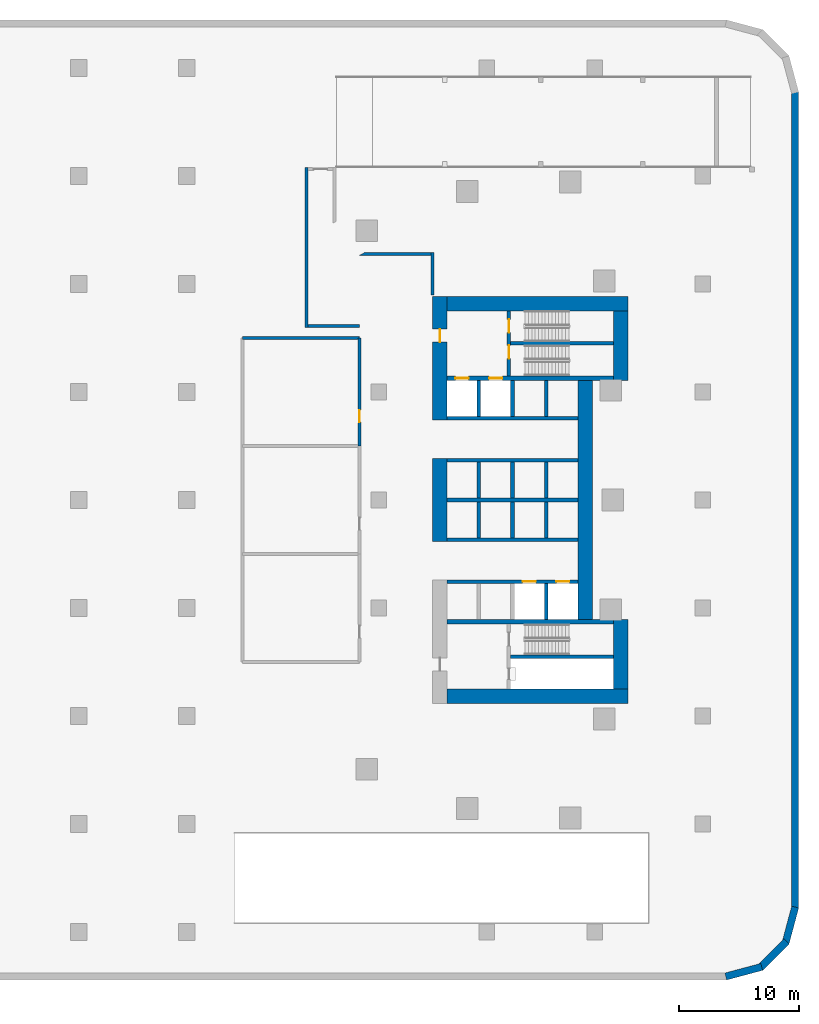
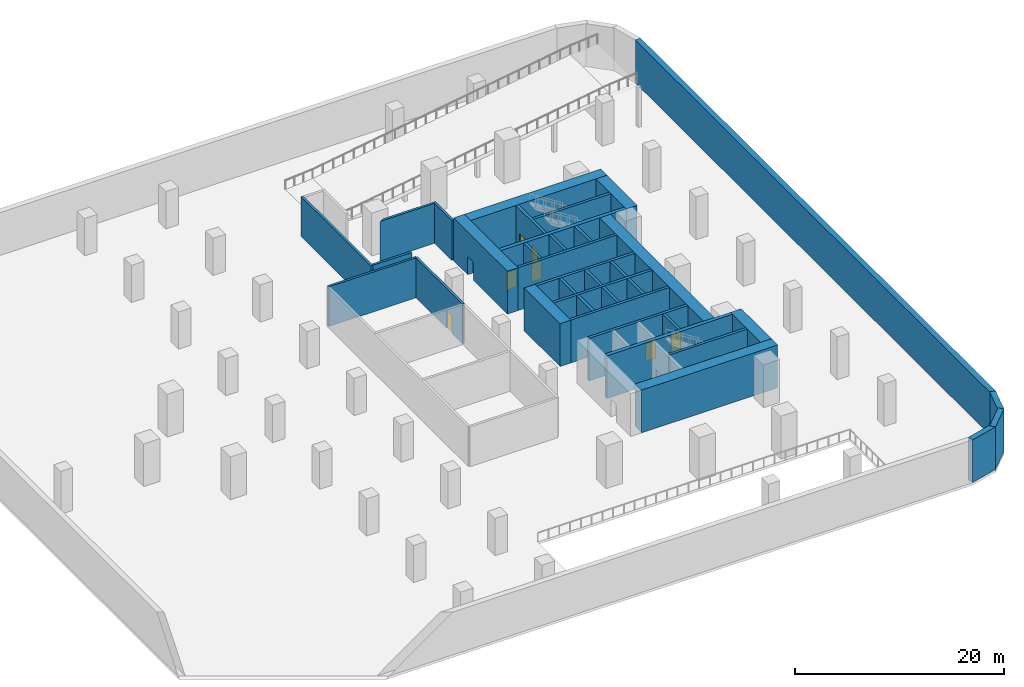
# One storey, part 4 of 9: 37 walls, 8 doors, 8 openings.
"""IFC4 building model written with IfcOpenShell, lengths in metres."""

from ifc_helpers import new_model, si_unit, direction, frame, frame_2d, origin, place, context, subcontext, project, spatial, polyline, rectangle, outline, extrude, material, layer, layer_set, type_object, element, fill, save


model = new_model("IFC4")

# Units and contexts
model_context = context("Model", 3, precision=1e-05, world=origin(), true_north=direction((0.0, 1.0)))
body_context = subcontext(model_context, "Body", "Model", "MODEL_VIEW")
ifc_project = project(units=[si_unit("LENGTHUNIT", "METRE"), si_unit("AREAUNIT", "SQUARE_METRE"), si_unit("VOLUMEUNIT", "CUBIC_METRE"), si_unit("PLANEANGLEUNIT", "RADIAN"), si_unit("MASSUNIT", "GRAM", prefix="KILO")], contexts=[model_context])

# Site, building, storey
site_placement = place(None, origin())
site = spatial("IfcSite", under=ifc_project, at=site_placement, CompositionType="ELEMENT")
building_placement = place(site_placement, origin())
building = spatial("IfcBuilding", under=site, at=building_placement, Name="Ostrand Prow Hotel Tower", CompositionType="ELEMENT")
storey_placement = place(building_placement, frame((0.0, 0.0, -5.0)))
storey = spatial("IfcBuildingStorey", under=building, at=storey_placement, Name="B1", CompositionType="ELEMENT", Elevation=-5.0)

# Wall, opening, door
ifc_material_1 = material(Name="Concrete C80/95", Category="concrete")
ifc_layer_1 = layer(ifc_material_1, 1.199951171875)
ifc_layer_set_1 = layer_set([ifc_layer_1], Name="Concrete C80/95")
wall_type_1 = type_object("IfcWallType", Name="Core wall 1200 C80/95", PredefinedType="SHEAR", material=ifc_layer_set_1)
wall_1_placement = place(storey_placement, frame((50.10009765625, 6.64990234375, 0.0), z_axis=(0.0, 0.0, 1.0), x_axis=(0.0, 1.0, 0.0)))
wall_1 = element("IfcWall", 1, at=wall_1_placement, inside=storey, type_object=wall_type_1, Name="Core wall CW-W-N", PredefinedType="SHEAR", context=body_context, shape_type="SweptSolid", body=[
    extrude(rectangle(XDim=10.300048828125, YDim=1.199951171875, at=frame_2d((5.14990234375, 0.0))), origin(), (0.0, 0.0, 1.0), 5.0),
])
opening_1_placement = place(wall_1_placement, frame((6.5, 0.0, 0.0)))
opening_1 = element("IfcOpeningElement", 2, at=opening_1_placement, cuts=wall_1, Name="Opening FD1", PredefinedType="OPENING", context=body_context, shape_type="SweptSolid", body=[
    extrude(rectangle(XDim=1.10009765625, YDim=2.10009765625, at=frame_2d((0.550048828125, 1.050048828125))), frame((0.0, 0.60986328125, 0.0), z_axis=(0.0, -1.0, 0.0), x_axis=(1.0, 0.0, 0.0)), (0.0, 0.0, 1.0), 1.219970703125),
])
ifc_material_2 = material(Name="Steel fire door", Category="steel")
door_type_1 = type_object("IfcDoorType", Name="Fire door 1100 EI120", OperationType="SINGLE_SWING_RIGHT", PredefinedType="DOOR", material=ifc_material_2)
door_1_placement = place(opening_1_placement, origin())
door_1 = element("IfcDoor", 3, at=door_1_placement, inside=storey, type_object=door_type_1, Name="FIRE DOOR", OperationType="SINGLE_SWING_RIGHT", OverallHeight=2.10009765625, OverallWidth=1.10009765625, PredefinedType="DOOR", context=body_context, shape_type="SweptSolid", body=[
    extrude(rectangle(XDim=1.10009765625, YDim=2.10009765625, at=frame_2d((0.550048828125, 1.050048828125))), frame((0.0, 0.02490234375, 0.0), z_axis=(0.0, -1.0, 0.0), x_axis=(1.0, 0.0, 0.0)), (0.0, 0.0, 1.0), 0.050048828125),
])
fill(opening_1, door_1)

# Walls
wall_2_placement = place(storey_placement, frame((50.10009765625, -3.449951171875, 0.0), z_axis=(0.0, 0.0, 1.0), x_axis=(0.0, 1.0, 0.0)))
element("IfcWall", 4, at=wall_2_placement, inside=storey, type_object=wall_type_1, Name="Core wall CW-W-C", PredefinedType="SHEAR", context=body_context, shape_type="SweptSolid", body=[
    extrude(rectangle(XDim=6.89990234375, YDim=1.199951171875, at=frame_2d((3.449951171875, 0.0))), origin(), (0.0, 0.0, 1.0), 5.0),
])
for number, where, z_axis, x_axis, name in (
    (5, (50.699951171875, 16.35009765625, 0.0), (0.0, 0.0, 1.0), (1.0, 0.0, 0.0), "Core wall CW-N"),
    (6, (50.699951171875, -16.35009765625, 0.0), (0.0, 0.0, 1.0), (1.0, 0.0, 0.0), "Core wall CW-S"),
):
    element("IfcWall", number, at=place(storey_placement, frame(where, z_axis=z_axis, x_axis=x_axis)), inside=storey, type_object=wall_type_1, Name=name, PredefinedType="SHEAR", context=body_context, shape_type="SweptSolid", body=[
        extrude(rectangle(XDim=15.06005859375, YDim=1.199951171875, at=frame_2d((7.530029296875, 0.0))), origin(), (0.0, 0.0, 1.0), 5.0),
    ])
for number, where, z_axis, x_axis, name in (
    (7, (65.159912109375, 9.949951171875, 0.0), (0.0, 0.0, 1.0), (0.0, 1.0, 0.0), "Core wall CW-E-N"),
    (8, (65.159912109375, -15.75, 0.0), (0.0, 0.0, 1.0), (0.0, 1.0, 0.0), "Core wall CW-E-S"),
):
    element("IfcWall", number, at=place(storey_placement, frame(where, z_axis=z_axis, x_axis=x_axis)), inside=storey, type_object=wall_type_1, Name=name, PredefinedType="SHEAR", context=body_context, shape_type="SweptSolid", body=[
        extrude(rectangle(XDim=5.800048828125, YDim=1.199951171875, at=frame_2d((2.89990234375, 0.0))), origin(), (0.0, 0.0, 1.0), 5.0),
    ])
wall_3_placement = place(storey_placement, frame((62.199951171875, -9.949951171875, 0.0), z_axis=(0.0, 0.0, 1.0), x_axis=(0.0, 1.0, 0.0)))
element("IfcWall", 9, at=wall_3_placement, inside=storey, type_object=wall_type_1, Name="Core wall CW-E-C", PredefinedType="SHEAR", context=body_context, shape_type="SweptSolid", body=[
    extrude(rectangle(XDim=19.89990234375, YDim=1.199951171875, at=frame_2d((9.949951171875, 0.0))), origin(), (0.0, 0.0, 1.0), 5.0),
])
ifc_material_3 = material(Name="Concrete C80/95", Category="concrete")
ifc_layer_2 = layer(ifc_material_3, 0.300048828125)
ifc_layer_set_2 = layer_set([ifc_layer_2], Name="Concrete C80/95")
wall_type_2 = type_object("IfcWallType", Name="Core wall 300 C80/95", PredefinedType="SHEAR", material=ifc_layer_set_2)
for number, where, z_axis, x_axis, name in (
    (10, (50.699951171875, 0.0, 0.0), (0.0, 0.0, 1.0), (1.0, 0.0, 0.0), "Core wall PW-C"),
    (11, (50.699951171875, 3.300048828125, 0.0), (0.0, 0.0, 1.0), (1.0, 0.0, 0.0), "Core wall PW-L1-N"),
    (12, (50.699951171875, 6.800048828125, 0.0), (0.0, 0.0, 1.0), (1.0, 0.0, 0.0), "Core wall PW-L2-N"),
):
    element("IfcWall", number, at=place(storey_placement, frame(where, z_axis=z_axis, x_axis=x_axis)), inside=storey, type_object=wall_type_2, Name=name, PredefinedType="SHEAR", context=body_context, shape_type="SweptSolid", body=[
        extrude(rectangle(XDim=10.900146484375, YDim=0.300048828125, at=frame_2d((5.4501953125, 0.0))), origin(), (0.0, 0.0, 1.0), 5.0),
    ])
for number, where, z_axis, x_axis, name in (
    (13, (53.35009765625, 0.14990234375, 0.0), (0.0, 0.0, 1.0), (0.0, 1.0, 0.0), "Core wall PW-R1-NB"),
    (14, (53.35009765625, 6.949951171875, 0.0), (0.0, 0.0, 1.0), (0.0, 1.0, 0.0), "Core wall PW-R1-NA"),
    (15, (56.14990234375, 0.14990234375, 0.0), (0.0, 0.0, 1.0), (0.0, 1.0, 0.0), "Core wall PW-R2-NB"),
    (16, (56.14990234375, 6.949951171875, 0.0), (0.0, 0.0, 1.0), (0.0, 1.0, 0.0), "Core wall PW-R2-NA"),
    (17, (58.949951171875, 0.14990234375, 0.0), (0.0, 0.0, 1.0), (0.0, 1.0, 0.0), "Core wall PW-R3-NB"),
    (18, (58.949951171875, 6.949951171875, 0.0), (0.0, 0.0, 1.0), (0.0, 1.0, 0.0), "Core wall PW-R3-NA"),
):
    element("IfcWall", number, at=place(storey_placement, frame(where, z_axis=z_axis, x_axis=x_axis)), inside=storey, type_object=wall_type_2, Name=name, PredefinedType="SHEAR", context=body_context, shape_type="SweptSolid", body=[
        extrude(rectangle(XDim=3.0, YDim=0.300048828125, at=frame_2d((1.5, 0.0))), origin(), (0.0, 0.0, 1.0), 5.0),
    ])
wall_4_placement = place(storey_placement, frame((50.699951171875, -3.300048828125, 0.0), z_axis=(0.0, 0.0, 1.0), x_axis=(1.0, 0.0, 0.0)))
element("IfcWall", 19, at=wall_4_placement, inside=storey, type_object=wall_type_2, Name="Core wall PW-L1-S", PredefinedType="SHEAR", context=body_context, shape_type="SweptSolid", body=[
    extrude(rectangle(XDim=10.900146484375, YDim=0.300048828125, at=frame_2d((5.4501953125, 0.0))), origin(), (0.0, 0.0, 1.0), 5.0),
])

# Wall, openings, doors
wall_5_placement = place(storey_placement, frame((50.699951171875, -6.800048828125, 0.0), z_axis=(0.0, 0.0, 1.0), x_axis=(1.0, 0.0, 0.0)))
wall_5 = element("IfcWall", 20, at=wall_5_placement, inside=storey, type_object=wall_type_2, Name="Core wall PW-L2-S", PredefinedType="SHEAR", context=body_context, shape_type="SweptSolid", body=[
    extrude(rectangle(XDim=10.900146484375, YDim=0.300048828125, at=frame_2d((5.4501953125, 0.0))), origin(), (0.0, 0.0, 1.0), 5.0),
])
opening_2_placement = place(wall_5_placement, frame((6.300048828125, 0.0, 0.0)))
opening_2 = element("IfcOpeningElement", 21, at=opening_2_placement, cuts=wall_5, Name="Opening LD", PredefinedType="OPENING", context=body_context, shape_type="SweptSolid", body=[
    extrude(rectangle(XDim=1.10009765625, YDim=2.10009765625, at=frame_2d((0.550048828125, 1.050048828125))), frame((0.0, 0.159912109375, 0.0), z_axis=(0.0, -1.0, 0.0), x_axis=(1.0, 0.0, 0.0)), (0.0, 0.0, 1.0), 0.320068359375),
])
opening_3_placement = place(wall_5_placement, frame((9.10009765625, 0.0, 0.0)))
opening_3 = element("IfcOpeningElement", 22, at=opening_3_placement, cuts=wall_5, Name="Opening LD", PredefinedType="OPENING", context=body_context, shape_type="SweptSolid", body=[
    extrude(rectangle(XDim=1.10009765625, YDim=2.10009765625, at=frame_2d((0.550048828125, 1.050048828125))), frame((0.0, 0.159912109375, 0.0), z_axis=(0.0, -1.0, 0.0), x_axis=(1.0, 0.0, 0.0)), (0.0, 0.0, 1.0), 0.320068359375),
])
ifc_material_4 = material(Name="Stainless steel door", Category="steel")
door_type_2 = type_object("IfcDoorType", Name="Lift landing door 1100", OperationType="DOUBLE_DOOR_SLIDING", PredefinedType="DOOR", material=ifc_material_4)
door_2_placement = place(opening_2_placement, origin())
door_2 = element("IfcDoor", 23, at=door_2_placement, inside=storey, type_object=door_type_2, Name="LIFT LANDING DOOR", OperationType="DOUBLE_DOOR_SLIDING", OverallHeight=2.10009765625, OverallWidth=1.10009765625, PredefinedType="DOOR", context=body_context, shape_type="SweptSolid", body=[
    extrude(rectangle(XDim=1.10009765625, YDim=2.10009765625, at=frame_2d((0.550048828125, 1.050048828125))), frame((0.0, 0.02490234375, 0.0), z_axis=(0.0, -1.0, 0.0), x_axis=(1.0, 0.0, 0.0)), (0.0, 0.0, 1.0), 0.050048828125),
])
fill(opening_2, door_2)
door_3_placement = place(opening_3_placement, origin())
door_3 = element("IfcDoor", 24, at=door_3_placement, inside=storey, type_object=door_type_2, Name="LIFT LANDING DOOR", OperationType="DOUBLE_DOOR_SLIDING", OverallHeight=2.10009765625, OverallWidth=1.10009765625, PredefinedType="DOOR", context=body_context, shape_type="SweptSolid", body=[
    extrude(rectangle(XDim=1.10009765625, YDim=2.10009765625, at=frame_2d((0.550048828125, 1.050048828125))), frame((0.0, 0.02490234375, 0.0), z_axis=(0.0, -1.0, 0.0), x_axis=(1.0, 0.0, 0.0)), (0.0, 0.0, 1.0), 0.050048828125),
])
fill(opening_3, door_3)

# Walls
for number, where, z_axis, x_axis, name in (
    (25, (53.35009765625, -3.14990234375, 0.0), (0.0, 0.0, 1.0), (0.0, 1.0, 0.0), "Core wall PW-R1-SB"),
    (26, (56.14990234375, -3.14990234375, 0.0), (0.0, 0.0, 1.0), (0.0, 1.0, 0.0), "Core wall PW-R2-SB"),
    (27, (58.949951171875, -3.14990234375, 0.0), (0.0, 0.0, 1.0), (0.0, 1.0, 0.0), "Core wall PW-R3-SB"),
    (28, (58.949951171875, -9.949951171875, 0.0), (0.0, 0.0, 1.0), (0.0, 1.0, 0.0), "Core wall PW-R3-SA"),
):
    element("IfcWall", number, at=place(storey_placement, frame(where, z_axis=z_axis, x_axis=x_axis)), inside=storey, type_object=wall_type_2, Name=name, PredefinedType="SHEAR", context=body_context, shape_type="SweptSolid", body=[
        extrude(rectangle(XDim=3.0, YDim=0.300048828125, at=frame_2d((1.5, 0.0))), origin(), (0.0, 0.0, 1.0), 5.0),
    ])

# Wall, openings, doors
wall_6_placement = place(storey_placement, frame((55.85009765625, 10.35009765625, 0.0), z_axis=(0.0, 0.0, 1.0), x_axis=(0.0, 1.0, 0.0)))
wall_6 = element("IfcWall", 29, at=wall_6_placement, inside=storey, type_object=wall_type_2, Name="Core wall PW-VN", PredefinedType="SHEAR", context=body_context, shape_type="SweptSolid", body=[
    extrude(rectangle(XDim=5.39990234375, YDim=0.300048828125, at=frame_2d((2.699951171875, 0.0))), origin(), (0.0, 0.0, 1.0), 5.0),
])
opening_4_placement = place(wall_6_placement, frame((1.429931640625, 0.0, 0.0)))
opening_4 = element("IfcOpeningElement", 30, at=opening_4_placement, cuts=wall_6, Name="Opening FD1", PredefinedType="OPENING", context=body_context, shape_type="SweptSolid", body=[
    extrude(rectangle(XDim=1.10009765625, YDim=2.10009765625, at=frame_2d((0.550048828125, 1.050048828125))), frame((0.0, 0.159912109375, 0.0), z_axis=(0.0, -1.0, 0.0), x_axis=(1.0, 0.0, 0.0)), (0.0, 0.0, 1.0), 0.320068359375),
])
opening_5_placement = place(wall_6_placement, frame((3.60009765625, 0.0, 0.0)))
opening_5 = element("IfcOpeningElement", 31, at=opening_5_placement, cuts=wall_6, Name="Opening FD1", PredefinedType="OPENING", context=body_context, shape_type="SweptSolid", body=[
    extrude(rectangle(XDim=1.10009765625, YDim=2.10009765625, at=frame_2d((0.550048828125, 1.050048828125))), frame((0.0, 0.159912109375, 0.0), z_axis=(0.0, -1.0, 0.0), x_axis=(1.0, 0.0, 0.0)), (0.0, 0.0, 1.0), 0.320068359375),
])
door_4_placement = place(opening_4_placement, origin())
door_4 = element("IfcDoor", 32, at=door_4_placement, inside=storey, type_object=door_type_1, Name="FIRE DOOR", OperationType="SINGLE_SWING_RIGHT", OverallHeight=2.10009765625, OverallWidth=1.10009765625, PredefinedType="DOOR", context=body_context, shape_type="SweptSolid", body=[
    extrude(rectangle(XDim=1.10009765625, YDim=2.10009765625, at=frame_2d((0.550048828125, 1.050048828125))), frame((0.0, 0.02490234375, 0.0), z_axis=(0.0, -1.0, 0.0), x_axis=(1.0, 0.0, 0.0)), (0.0, 0.0, 1.0), 0.050048828125),
])
fill(opening_4, door_4)
door_5_placement = place(opening_5_placement, origin())
door_5 = element("IfcDoor", 33, at=door_5_placement, inside=storey, type_object=door_type_1, Name="FIRE DOOR", OperationType="SINGLE_SWING_RIGHT", OverallHeight=2.10009765625, OverallWidth=1.10009765625, PredefinedType="DOOR", context=body_context, shape_type="SweptSolid", body=[
    extrude(rectangle(XDim=1.10009765625, YDim=2.10009765625, at=frame_2d((0.550048828125, 1.050048828125))), frame((0.0, 0.02490234375, 0.0), z_axis=(0.0, -1.0, 0.0), x_axis=(1.0, 0.0, 0.0)), (0.0, 0.0, 1.0), 0.050048828125),
])
fill(opening_5, door_5)

# Walls
for number, where, z_axis, x_axis, name in (
    (34, (56.0, 13.050048828125, 0.0), (0.0, 0.0, 1.0), (1.0, 0.0, 0.0), "Core wall PW-ST13"),
    (35, (56.0, -13.050048828125, 0.0), (0.0, 0.0, 1.0), (1.0, 0.0, 0.0), "Core wall PW-ST2R"),
):
    element("IfcWall", number, at=place(storey_placement, frame(where, z_axis=z_axis, x_axis=x_axis)), inside=storey, type_object=wall_type_2, Name=name, PredefinedType="SHEAR", context=body_context, shape_type="SweptSolid", body=[
        extrude(rectangle(XDim=8.56005859375, YDim=0.300048828125, at=frame_2d((4.280029296875, 0.0))), origin(), (0.0, 0.0, 1.0), 5.0),
    ])

# Wall, openings, doors
ifc_material_5 = material(Name="Concrete C80/95", Category="concrete")
ifc_layer_3 = layer(ifc_material_5, 0.39990234375)
ifc_layer_set_3 = layer_set([ifc_layer_3], Name="Concrete C80/95")
wall_type_3 = type_object("IfcWallType", Name="Core wall 400 C80/95", PredefinedType="SHEAR", material=ifc_layer_set_3)
wall_7_placement = place(storey_placement, frame((50.699951171875, 10.14990234375, 0.0), z_axis=(0.0, 0.0, 1.0), x_axis=(1.0, 0.0, 0.0)))
wall_7 = element("IfcWall", 36, at=wall_7_placement, inside=storey, type_object=wall_type_3, Name="Core wall PW-BN", PredefinedType="SHEAR", context=body_context, shape_type="SweptSolid", body=[
    extrude(rectangle(XDim=13.860107421875, YDim=0.39990234375, at=frame_2d((6.93017578125, 0.0))), origin(), (0.0, 0.0, 1.0), 5.0),
])
opening_6_placement = place(wall_7_placement, frame((0.699951171875, 0.0, 0.0)))
opening_6 = element("IfcOpeningElement", 37, at=opening_6_placement, cuts=wall_7, Name="Opening LD", PredefinedType="OPENING", context=body_context, shape_type="SweptSolid", body=[
    extrude(rectangle(XDim=1.10009765625, YDim=2.10009765625, at=frame_2d((0.550048828125, 1.050048828125))), frame((0.0, 0.2099609375, 0.0), z_axis=(0.0, -1.0, 0.0), x_axis=(1.0, 0.0, 0.0)), (0.0, 0.0, 1.0), 0.419921875),
])
opening_7_placement = place(wall_7_placement, frame((3.5, 0.0, 0.0)))
opening_7 = element("IfcOpeningElement", 38, at=opening_7_placement, cuts=wall_7, Name="Opening LD", PredefinedType="OPENING", context=body_context, shape_type="SweptSolid", body=[
    extrude(rectangle(XDim=1.10009765625, YDim=2.10009765625, at=frame_2d((0.550048828125, 1.050048828125))), frame((0.0, 0.2099609375, 0.0), z_axis=(0.0, -1.0, 0.0), x_axis=(1.0, 0.0, 0.0)), (0.0, 0.0, 1.0), 0.419921875),
])
door_6_placement = place(opening_6_placement, origin())
door_6 = element("IfcDoor", 39, at=door_6_placement, inside=storey, type_object=door_type_2, Name="LIFT LANDING DOOR", OperationType="DOUBLE_DOOR_SLIDING", OverallHeight=2.10009765625, OverallWidth=1.10009765625, PredefinedType="DOOR", context=body_context, shape_type="SweptSolid", body=[
    extrude(rectangle(XDim=1.10009765625, YDim=2.10009765625, at=frame_2d((0.550048828125, 1.050048828125))), frame((0.0, 0.02490234375, 0.0), z_axis=(0.0, -1.0, 0.0), x_axis=(1.0, 0.0, 0.0)), (0.0, 0.0, 1.0), 0.050048828125),
])
fill(opening_6, door_6)
door_7_placement = place(opening_7_placement, origin())
door_7 = element("IfcDoor", 40, at=door_7_placement, inside=storey, type_object=door_type_2, Name="LIFT LANDING DOOR", OperationType="DOUBLE_DOOR_SLIDING", OverallHeight=2.10009765625, OverallWidth=1.10009765625, PredefinedType="DOOR", context=body_context, shape_type="SweptSolid", body=[
    extrude(rectangle(XDim=1.10009765625, YDim=2.10009765625, at=frame_2d((0.550048828125, 1.050048828125))), frame((0.0, 0.02490234375, 0.0), z_axis=(0.0, -1.0, 0.0), x_axis=(1.0, 0.0, 0.0)), (0.0, 0.0, 1.0), 0.050048828125),
])
fill(opening_7, door_7)

# Walls
wall_8_placement = place(storey_placement, frame((50.699951171875, -10.14990234375, 0.0), z_axis=(0.0, 0.0, 1.0), x_axis=(1.0, 0.0, 0.0)))
element("IfcWall", 41, at=wall_8_placement, inside=storey, type_object=wall_type_3, Name="Core wall PW-BS", PredefinedType="SHEAR", context=body_context, shape_type="SweptSolid", body=[
    extrude(rectangle(XDim=13.860107421875, YDim=0.39990234375, at=frame_2d((6.93017578125, 0.0))), origin(), (0.0, 0.0, 1.0), 5.0),
])
ifc_material_6 = material(Name="Concrete C40/50", Category="concrete")
ifc_layer_4 = layer(ifc_material_6, 0.60009765625)
ifc_layer_set_4 = layer_set([ifc_layer_4], Name="Concrete C40/50")
wall_type_4 = type_object("IfcWallType", Name="Retaining wall 600 C40/50", PredefinedType="STANDARD", material=ifc_layer_set_4)
for number, where, z_axis, x_axis, name in (
    (42, (73.92236328125, -39.710205078125, 0.0), (0.0, 0.0, 1.0), (0.965936824201, 0.258777996848, 0.0), "Retaining wall B1-01"),
    (43, (76.787841796875, -38.98388671875, 0.0), (0.0, 0.0, 1.0), (0.707106781187, 0.707106781187, 0.0), "Retaining wall B1-02"),
    (44, (78.906494140625, -36.92236328125, 0.0), (0.0, 0.0, 1.0), (0.258777996848, 0.965936824201, 0.0), "Retaining wall B1-03"),
):
    element("IfcWall", number, at=place(storey_placement, frame(where, z_axis=z_axis, x_axis=x_axis)), inside=storey, type_object=wall_type_4, Name=name, PredefinedType="STANDARD", context=body_context, shape_type="SweptSolid", body=[
        extrude(rectangle(XDim=3.105712890625, YDim=0.60009765625, at=frame_2d((1.552734375, 0.0))), origin(), (0.0, 0.0, 1.0), 5.0),
    ])
wall_9_placement = place(storey_placement, frame((79.699951171875, -34.0, 0.0), z_axis=(0.0, 0.0, 1.0), x_axis=(0.0, 1.0, 0.0)))
element("IfcWall", 45, at=wall_9_placement, inside=storey, type_object=wall_type_4, Name="Retaining wall B1-04", PredefinedType="STANDARD", context=body_context, shape_type="SweptSolid", body=[
    extrude(rectangle(XDim=68.0, YDim=0.60009765625, at=frame_2d((34.0, 0.0))), origin(), (0.0, 0.0, 1.0), 5.0),
])

# Wall, opening, door
ifc_material_7 = material(Name="Concrete block wall", Category="concrete")
ifc_layer_5 = layer(ifc_material_7, 0.25)
ifc_layer_set_5 = layer_set([ifc_layer_5], Name="Concrete block wall")
wall_type_5 = type_object("IfcWallType", Name="Service fire wall 250 masonry", PredefinedType="PARTITIONING", material=ifc_layer_set_5)
wall_10_placement = place(storey_placement, frame((43.39990234375, 4.5, 0.0), z_axis=(0.0, 0.0, 1.0), x_axis=(0.0, 1.0, 0.0)))
wall_10 = element("IfcWall", 46, at=wall_10_placement, inside=storey, type_object=wall_type_5, Name="SERVICE WALL", PredefinedType="PARTITIONING", context=body_context, shape_type="SweptSolid", body=[
    extrude(rectangle(XDim=9.0, YDim=0.25, at=frame_2d((4.5, 0.0))), origin(), (0.0, 0.0, 1.0), 4.64990234375),
])
opening_8_placement = place(wall_10_placement, frame((2.0, 0.0, 0.0)))
opening_8 = element("IfcOpeningElement", 47, at=opening_8_placement, cuts=wall_10, Name="Opening SD1", PredefinedType="OPENING", context=body_context, shape_type="SweptSolid", body=[
    extrude(rectangle(XDim=1.0, YDim=2.10009765625, at=frame_2d((0.5, 1.050048828125))), frame((0.0, 0.135009765625, 0.0), z_axis=(0.0, -1.0, 0.0), x_axis=(1.0, 0.0, 0.0)), (0.0, 0.0, 1.0), 0.27001953125),
])
ifc_material_8 = material(Name="Steel fire door", Category="steel")
door_type_3 = type_object("IfcDoorType", Name="Service door 1000 EI120", OperationType="SINGLE_SWING_LEFT", PredefinedType="DOOR", material=ifc_material_8)
door_8_placement = place(opening_8_placement, origin())
door_8 = element("IfcDoor", 48, at=door_8_placement, inside=storey, type_object=door_type_3, Name="SERVICE DOOR", OperationType="SINGLE_SWING_LEFT", OverallHeight=2.10009765625, OverallWidth=1.0, PredefinedType="DOOR", context=body_context, shape_type="SweptSolid", body=[
    extrude(rectangle(XDim=1.0, YDim=2.10009765625, at=frame_2d((0.5, 1.050048828125))), frame((0.0, 0.02490234375, 0.0), z_axis=(0.0, -1.0, 0.0), x_axis=(1.0, 0.0, 0.0)), (0.0, 0.0, 1.0), 0.050048828125),
])
fill(opening_8, door_8)

# Walls
wall_11_placement = place(storey_placement, frame((33.64990234375, 13.5, 0.0), z_axis=(0.0, 0.0, 1.0), x_axis=(1.0, 0.0, 0.0)))
element("IfcWall", 49, at=wall_11_placement, inside=storey, type_object=wall_type_5, Name="SERVICE WALL", PredefinedType="PARTITIONING", context=body_context, shape_type="SweptSolid", body=[
    extrude(rectangle(XDim=9.75, YDim=0.25, at=frame_2d((4.875, 0.0))), origin(), (0.0, 0.0, 1.0), 4.64990234375),
])
wall_12_placement = place(storey_placement, frame((39.0, 14.375, 0.0), z_axis=(0.0, 0.0, 1.0), x_axis=(0.0, 1.0, 0.0)))
element("IfcWall", 50, at=wall_12_placement, inside=storey, type_object=wall_type_5, Name="STAIR ACCESS WALL", PredefinedType="PARTITIONING", context=body_context, shape_type="SweptSolid", body=[
    extrude(rectangle(XDim=13.35009765625, YDim=0.25, at=frame_2d((6.675048828125, 0.0))), origin(), (0.0, 0.0, 1.0), 4.64990234375),
])
wall_13_placement = place(storey_placement, frame((39.125, 14.5, 0.0), z_axis=(0.0, 0.0, 1.0), x_axis=(1.0, 0.0, 0.0)))
element("IfcWall", 51, at=wall_13_placement, inside=storey, type_object=wall_type_5, Name="STAIR ACCESS WALL", PredefinedType="PARTITIONING", context=body_context, shape_type="SweptSolid", body=[
    extrude(rectangle(XDim=4.27490234375, YDim=0.25, at=frame_2d((2.137451171875, 0.0))), origin(), (0.0, 0.0, 1.0), 4.64990234375),
])
wall_14_placement = place(storey_placement, frame((43.594970703125, 20.5, 0.0), z_axis=(0.0, 0.0, 1.0), x_axis=(1.0, 0.0, 0.0)))
element("IfcWall", 52, at=wall_14_placement, inside=storey, type_object=wall_type_5, Name="STAIR ACCESS WALL", PredefinedType="PARTITIONING", context=body_context, shape_type="SweptSolid", body=[
    extrude(outline(polyline([(-0.241943359375, -0.125), (5.780029296875, -0.125), (5.780029296875, 0.125), (0.241943359375, 0.125), (-0.241943359375, -0.125)])), origin(), (0.0, 0.0, 1.0), 4.64990234375),
])
wall_15_placement = place(storey_placement, frame((49.5, 17.073974609375, 0.0), z_axis=(0.0, 0.0, 1.0), x_axis=(0.0, 1.0, 0.0)))
element("IfcWall", 53, at=wall_15_placement, inside=storey, type_object=wall_type_5, Name="STAIR ACCESS WALL", PredefinedType="PARTITIONING", context=body_context, shape_type="SweptSolid", body=[
    extrude(rectangle(XDim=3.551025390625, YDim=0.25, at=frame_2d((1.775390625, 0.0))), origin(), (0.0, 0.0, 1.0), 4.64990234375),
])

save(model, "model.ifc")
